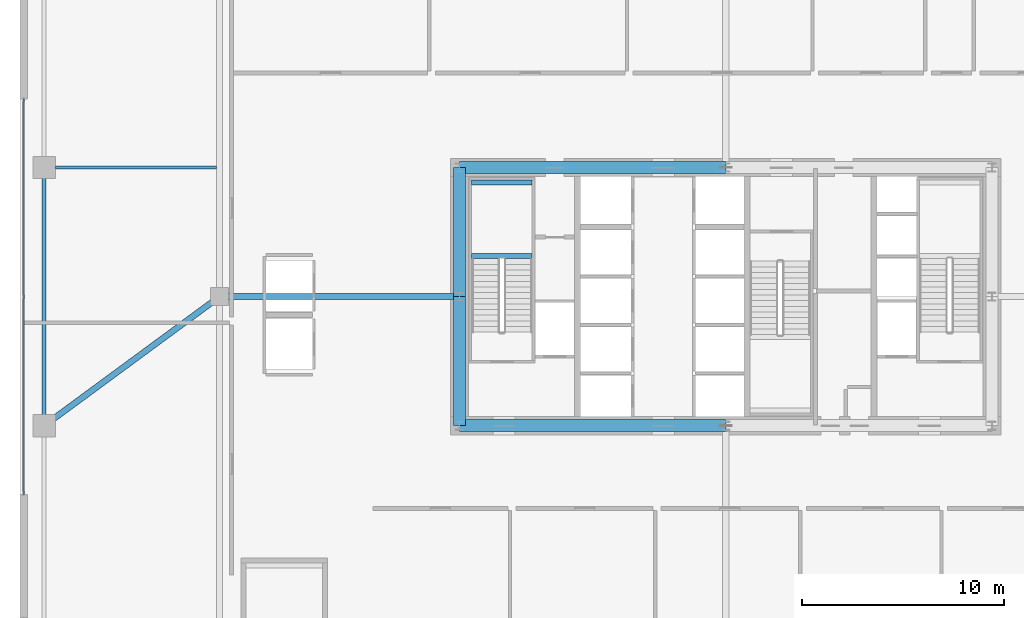
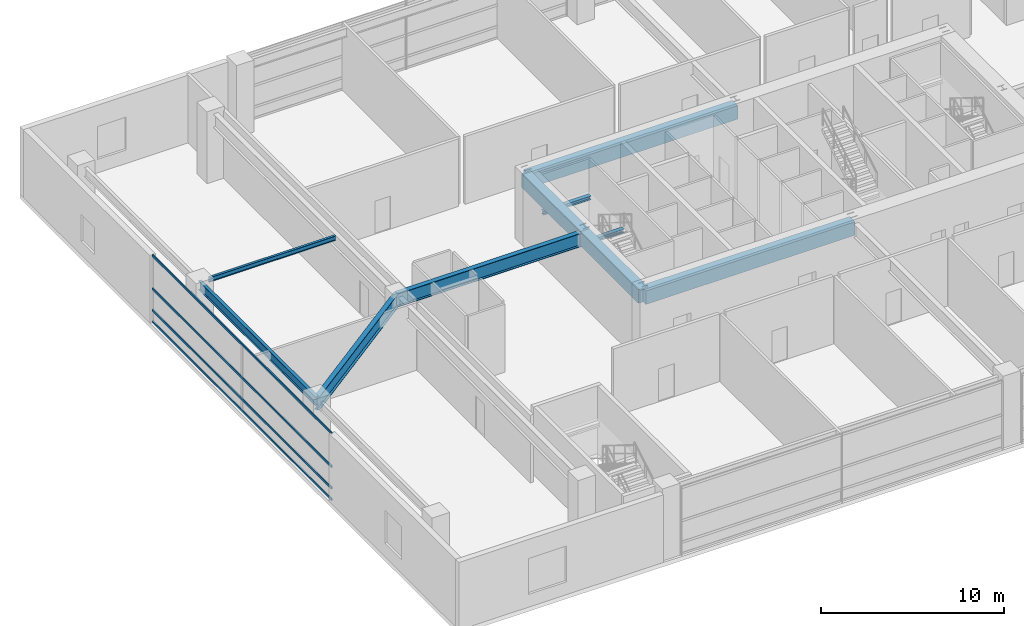
# One storey, part 10 of 39: 10 beams, 4 members, 1 element without a shape of its own.
"""IFC4 building model written with IfcOpenShell, lengths in metres."""

from ifc_helpers import new_model, si_unit, direction, frame, origin, origin_2d, place, context, subcontext, project, spatial, rectangle, hollow_rectangle, i_section, extrude, source, transform, mapped, material, layer, layer_set, material_profile, profile_set, type_object, element, aggregate, save


model = new_model("IFC4")

# Units and contexts
model_context = context("Model", 3, precision=1e-05, world=origin(), true_north=direction((0.0, 1.0)))
body_context = subcontext(model_context, "Body", "Model", "MODEL_VIEW")
ifc_project = project(units=[si_unit("LENGTHUNIT", "METRE"), si_unit("AREAUNIT", "SQUARE_METRE"), si_unit("VOLUMEUNIT", "CUBIC_METRE"), si_unit("PLANEANGLEUNIT", "RADIAN"), si_unit("MASSUNIT", "GRAM", prefix="KILO"), si_unit("THERMODYNAMICTEMPERATUREUNIT", "KELVIN"), si_unit("POWERUNIT", "WATT")], contexts=[model_context])

# Site, building, storey
site_placement = place(None, origin())
site = spatial("IfcSite", under=ifc_project, at=site_placement, CompositionType="ELEMENT")
building_placement = place(site_placement, origin())
building = spatial("IfcBuilding", under=site, at=building_placement, Name="Yuzanri Waterfront Tower", CompositionType="ELEMENT")
storey_placement = place(building_placement, frame((0.0, 0.0, 15.0)))
storey = spatial("IfcBuildingStorey", under=building, at=storey_placement, Name="L04", CompositionType="ELEMENT", Elevation=15.0)

# Beams
ifc_material_1 = material(Name="Concrete C60", Category="concrete")
ifc_material_profile_1 = material_profile(ifc_material_1, rectangle(XDim=0.60009765625, YDim=0.89990234375, at=origin_2d()), Name="RC 600x900")
ifc_profile_set_1 = profile_set([ifc_material_profile_1], Name="Concrete C60")
beam_type_1 = type_object("IfcBeamType", Name="Core Coupling Lintel Concrete C60 600x900", PredefinedType="LINTEL", material=ifc_profile_set_1)
shared_shape_1 = source(origin(), body_context, "Body", "SweptSolid", [
    extrude(rectangle(XDim=0.60009765625, YDim=0.89990234375, at=origin_2d()), origin(), (0.0, 0.0, 1.0), 13.199951171875),
])
for number, where, z_axis, x_axis, name in (
    (1, (23.800048828125, 19.39990234375, 4.070068359375), (1.0, 0.0, 0.0), (0.0, 1.0, 0.0), "L04 Core Tie Beam CS1"),
    (2, (23.800048828125, 32.199951171875, 4.070068359375), (1.0, 0.0, 0.0), (0.0, 1.0, 0.0), "L04 Core Tie Beam CN1"),
):
    element("IfcBeam", number, at=place(storey_placement, frame(where, z_axis=z_axis, x_axis=x_axis)), inside=storey, type_object=beam_type_1, Name=name, PredefinedType="LINTEL", context=body_context, shape_type="MappedRepresentation", body=[
        mapped(shared_shape_1, transform((0.0, 0.0, 0.0), scale=1.0)),
    ])
shared_shape_2 = source(origin(), body_context, "Body", "SweptSolid", [
    extrude(rectangle(XDim=0.60009765625, YDim=0.89990234375, at=origin_2d()), origin(), (0.0, 0.0, 1.0), 6.400146484375),
])
beam_1_placement = place(storey_placement, frame((23.800048828125, 19.39990234375, 4.070068359375), z_axis=(0.0, 1.0, 0.0), x_axis=(-1.0, 0.0, 0.0)))
element("IfcBeam", 3, at=beam_1_placement, inside=storey, type_object=beam_type_1, Name="L04 Core Tie Beam CW1", PredefinedType="LINTEL", context=body_context, shape_type="MappedRepresentation", body=[
    mapped(shared_shape_2, transform((0.0, 0.0, 0.0), scale=1.0)),
])
shared_shape_3 = source(origin(), body_context, "Body", "SweptSolid", [
    extrude(rectangle(XDim=0.60009765625, YDim=0.89990234375, at=origin_2d()), origin(), (0.0, 0.0, 1.0), 6.39990234375),
])
beam_2_placement = place(storey_placement, frame((23.800048828125, 25.800048828125, 4.070068359375), z_axis=(0.0, 1.0, 0.0), x_axis=(-1.0, 0.0, 0.0)))
element("IfcBeam", 4, at=beam_2_placement, inside=storey, type_object=beam_type_1, Name="L04 Core Tie Beam CW2", PredefinedType="LINTEL", context=body_context, shape_type="MappedRepresentation", body=[
    mapped(shared_shape_3, transform((0.0, 0.0, 0.0), scale=1.0)),
])
ifc_material_2 = material(Name="Steel Q355B", Category="steel")
ifc_material_profile_2 = material_profile(ifc_material_2, i_section(OverallWidth=0.199951171875, OverallDepth=0.60009765625, WebThickness=0.010986328125, FlangeThickness=0.01708984375, at=origin_2d()), Name="HN 600x200x11x17")
ifc_profile_set_2 = profile_set([ifc_material_profile_2], Name="Steel Q355B")
beam_type_2 = type_object("IfcBeamType", Name="Perimeter Spandrel Q355B HN 600x200", PredefinedType="SPANDREL", material=ifc_profile_set_2)
shared_shape_4 = source(origin(), body_context, "Body", "SweptSolid", [
    extrude(i_section(OverallWidth=0.199951171875, OverallDepth=0.60009765625, WebThickness=0.010986328125, FlangeThickness=0.01708984375, at=origin_2d()), origin(), (0.0, 0.0, 1.0), 12.800048828125),
])
beam_3_placement = place(storey_placement, frame((3.199951171875, 19.39990234375, 4.219970703125), z_axis=(0.0, 1.0, 0.0), x_axis=(-1.0, 0.0, 0.0)))
element("IfcBeam", 5, at=beam_3_placement, inside=storey, type_object=beam_type_2, Name="L04 West Podium Spandrel 2", PredefinedType="SPANDREL", context=body_context, shape_type="MappedRepresentation", body=[
    mapped(shared_shape_4, transform((0.0, 0.0, 0.0), scale=1.0)),
])
ifc_material_3 = material(Name="Steel Q355B", Category="steel")
ifc_material_profile_3 = material_profile(ifc_material_3, i_section(OverallWidth=0.300048828125, OverallDepth=0.89990234375, WebThickness=0.01611328125, FlangeThickness=0.028076171875, at=origin_2d()), Name="HN 900x300x16x28")
ifc_profile_set_3 = profile_set([ifc_material_profile_3], Name="Steel Q355B")
beam_type_3 = type_object("IfcBeamType", Name="Primary Podium Girder Q355B HN 900x300", PredefinedType="BEAM", material=ifc_profile_set_3)
shared_shape_5 = source(origin(), body_context, "Body", "SweptSolid", [
    extrude(i_section(OverallWidth=0.300048828125, OverallDepth=0.89990234375, WebThickness=0.01611328125, FlangeThickness=0.028076171875, at=origin_2d()), origin(), (0.0, 0.0, 1.0), 11.900146484375),
])
beam_4_placement = place(storey_placement, frame((11.89990234375, 25.800048828125, 4.070068359375), z_axis=(1.0, 0.0, 0.0), x_axis=(0.0, 1.0, 0.0)))
element("IfcBeam", 6, at=beam_4_placement, inside=storey, type_object=beam_type_3, Name="L04 Podium West Girder 2", PredefinedType="BEAM", context=body_context, shape_type="MappedRepresentation", body=[
    mapped(shared_shape_5, transform((0.0, 0.0, 0.0), scale=1.0)),
])
shared_shape_6 = source(origin(), body_context, "Body", "SweptSolid", [
    extrude(i_section(OverallWidth=0.300048828125, OverallDepth=0.89990234375, WebThickness=0.01611328125, FlangeThickness=0.028076171875, at=origin_2d()), origin(), (0.0, 0.0, 1.0), 10.800537109375),
])
beam_5_placement = place(storey_placement, frame((3.199951171875, 19.39990234375, 4.070068359375), z_axis=(0.805512964712, 0.592578149851, 0.0), x_axis=(-0.592578149851, 0.805512964712, 0.0)))
element("IfcBeam", 7, at=beam_5_placement, inside=storey, type_object=beam_type_3, Name="L04 Podium West Girder 1", PredefinedType="BEAM", context=body_context, shape_type="MappedRepresentation", body=[
    mapped(shared_shape_6, transform((0.0, 0.0, 0.0), scale=1.0)),
])
ifc_material_4 = material(Name="Steel Q355B", Category="steel")
ifc_material_profile_4 = material_profile(ifc_material_4, i_section(OverallWidth=0.14990234375, OverallDepth=0.300048828125, WebThickness=0.006591796875, FlangeThickness=0.009033203125, at=origin_2d()), Name="HN 300x150x6.5x9")
ifc_profile_set_4 = profile_set([ifc_material_profile_4], Name="Steel Q355B")
beam_type_4 = type_object("IfcBeamType", Name="Balcony Outlooker Joist Q355B HN 300x150", PredefinedType="JOIST", material=ifc_profile_set_4)
shared_shape_7 = source(origin(), body_context, "Body", "SweptSolid", [
    extrude(i_section(OverallWidth=0.14990234375, OverallDepth=0.300048828125, WebThickness=0.006591796875, FlangeThickness=0.009033203125, at=origin_2d()), origin(), (0.0, 0.0, 1.0), 8.0),
])
beam_6_placement = place(storey_placement, frame((3.75, 32.199951171875, 4.3701171875), z_axis=(1.0, 0.0, 0.0), x_axis=(0.0, 1.0, 0.0)))
element("IfcBeam", 8, at=beam_6_placement, inside=storey, type_object=beam_type_4, Name="L04 Podium West Secondary Joist", PredefinedType="JOIST", context=body_context, shape_type="MappedRepresentation", body=[
    mapped(shared_shape_7, transform((0.0, 0.0, 0.0), scale=1.0)),
])

# Curtain wall, members
ifc_material_5 = material(Name="Anodized Architectural Bronze", Category="metal")
ifc_layer = layer(ifc_material_5, 0.159912109375)
ifc_layer_set = layer_set([ifc_layer], Name="Anodized Architectural Bronze")
curtain_wall_type = type_object("IfcCurtainWallType", Name="Anodized Bronze Podium Waterfront Double-Height Unitized Curtain Wall 8400", PredefinedType="NOTDEFINED", material=ifc_layer_set)
curtain_wall_placement = place(storey_placement, origin())
curtain_wall = element("IfcCurtainWall", 9, at=curtain_wall_placement, inside=storey, type_object=curtain_wall_type, Name="L04 Curtain Wall CW-L04-W", PredefinedType="NOTDEFINED")
ifc_material_6 = material(Name="Anodized Architectural Bronze", Category="metal")
ifc_material_profile_5 = material_profile(ifc_material_6, hollow_rectangle(XDim=0.074951171875, YDim=0.14990234375, WallThickness=0.00390625, at=origin_2d()), Name="CWT 75x150")
ifc_profile_set_5 = profile_set([ifc_material_profile_5], Name="Anodized Architectural Bronze")
member_type = type_object("IfcMemberType", Name="Anodized Bronze Primary Curtain-Wall Transom 75x150", PredefinedType="USERDEFINED", material=ifc_profile_set_5)
shared_shape_8 = source(origin(), body_context, "Body", "SweptSolid", [
    extrude(hollow_rectangle(XDim=0.074951171875, YDim=0.14990234375, WallThickness=0.00390625, at=origin_2d()), origin(), (0.0, 0.0, 1.0), 19.60009765625),
])
member_1_placement = place(storey_placement, frame((2.179931640625, 16.0, 0.050048828125), z_axis=(0.0, 1.0, 0.0), x_axis=(-1.0, 0.0, 0.0)))
member_1 = element("IfcMember", 10, at=member_1_placement, type_object=member_type, Name="CW-L04-W Transom 1", ObjectType="TRANSOM", PredefinedType="USERDEFINED", context=body_context, shape_type="MappedRepresentation", body=[
    mapped(shared_shape_8, transform((0.0, 0.0, 0.0), scale=1.0)),
])
member_2_placement = place(storey_placement, frame((2.179931640625, 16.0, 0.820068359375), z_axis=(0.0, 1.0, 0.0), x_axis=(-1.0, 0.0, 0.0)))
member_2 = element("IfcMember", 11, at=member_2_placement, type_object=member_type, Name="CW-L04-W Transom 2", ObjectType="TRANSOM", PredefinedType="USERDEFINED", context=body_context, shape_type="MappedRepresentation", body=[
    mapped(shared_shape_8, transform((0.0, 0.0, 0.0), scale=1.0)),
])
member_3_placement = place(storey_placement, frame((2.179931640625, 16.0, 2.260009765625), z_axis=(0.0, 1.0, 0.0), x_axis=(-1.0, 0.0, 0.0)))
member_3 = element("IfcMember", 12, at=member_3_placement, type_object=member_type, Name="CW-L04-W Transom 3", ObjectType="TRANSOM", PredefinedType="USERDEFINED", context=body_context, shape_type="MappedRepresentation", body=[
    mapped(shared_shape_8, transform((0.0, 0.0, 0.0), scale=1.0)),
])
member_4_placement = place(storey_placement, frame((2.179931640625, 16.0, 4.469970703125), z_axis=(0.0, 1.0, 0.0), x_axis=(-1.0, 0.0, 0.0)))
member_4 = element("IfcMember", 13, at=member_4_placement, type_object=member_type, Name="CW-L04-W Transom 4", ObjectType="TRANSOM", PredefinedType="USERDEFINED", context=body_context, shape_type="MappedRepresentation", body=[
    mapped(shared_shape_8, transform((0.0, 0.0, 0.0), scale=1.0)),
])
aggregate(curtain_wall, [member_1, member_2, member_3, member_4])

# Beams
ifc_material_7 = material(Name="Steel Q355B", Category="steel")
ifc_material_profile_6 = material_profile(ifc_material_7, i_section(OverallWidth=0.25, OverallDepth=0.25, WebThickness=0.009033203125, FlangeThickness=0.013916015625, at=origin_2d()), Name="HW 250x250x9x14")
ifc_profile_set_6 = profile_set([ifc_material_profile_6], Name="Steel Q355B")
beam_type_5 = type_object("IfcBeamType", Name="Stair Landing Support Beam Q355B HW 250x250", PredefinedType="BEAM", material=ifc_profile_set_6)
shared_shape_9 = source(origin(), body_context, "Body", "SweptSolid", [
    extrude(i_section(OverallWidth=0.25, OverallDepth=0.25, WebThickness=0.009033203125, FlangeThickness=0.013916015625, at=origin_2d()), origin(), (0.0, 0.0, 1.0), 3.0),
])
for number, where, z_axis, x_axis, name in (
    (14, (24.39990234375, 27.81005859375, 2.074951171875), (1.0, 0.0, 0.0), (0.0, 1.0, 0.0), "L04 Stair Landing Support Beam ST-01-L04-L1-1"),
    (15, (24.39990234375, 31.449951171875, 2.074951171875), (1.0, 0.0, 0.0), (0.0, 1.0, 0.0), "L04 Stair Landing Support Beam ST-01-L04-L1-2"),
):
    element("IfcBeam", number, at=place(storey_placement, frame(where, z_axis=z_axis, x_axis=x_axis)), inside=storey, type_object=beam_type_5, Name=name, PredefinedType="BEAM", context=body_context, shape_type="MappedRepresentation", body=[
        mapped(shared_shape_9, transform((0.0, 0.0, 0.0), scale=1.0)),
    ])

save(model, "model.ifc")
